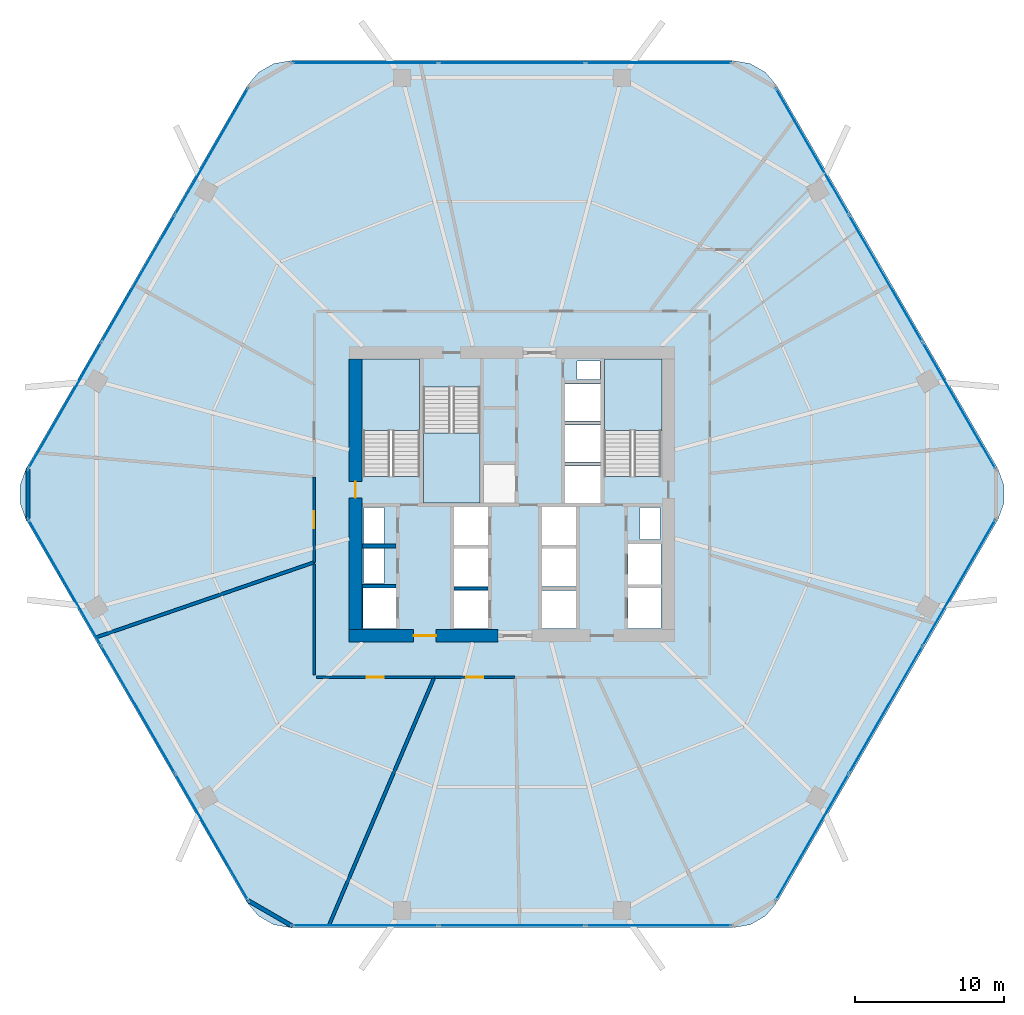
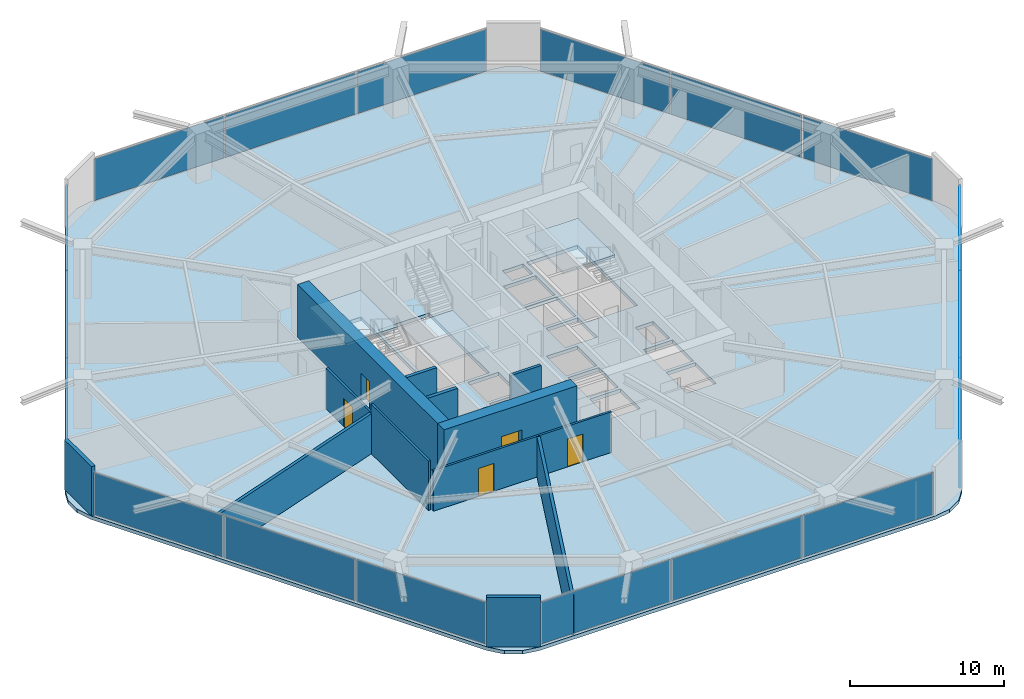
# One storey, part 21 of 25: 18 plates, 13 walls, 5 doors, 4 slabs, 5 openings, 9 elements without a shape of their own.
"""IFC4 building model written with IfcOpenShell, lengths in metres."""

from ifc_helpers import new_model, si_unit, direction, frame, frame_2d, origin, origin_2d, place, context, subcontext, project, spatial, polyline, rectangle, outline, extrude, material, layer, layer_set, type_object, element, fill, aggregate, save


model = new_model("IFC4")

# Units and contexts
model_context = context("Model", 3, precision=1e-05, world=origin(), true_north=direction((0.0, 1.0)))
body_context = subcontext(model_context, "Body", "Model", "MODEL_VIEW")
ifc_project = project(units=[si_unit("LENGTHUNIT", "METRE"), si_unit("AREAUNIT", "SQUARE_METRE"), si_unit("VOLUMEUNIT", "CUBIC_METRE"), si_unit("PLANEANGLEUNIT", "RADIAN"), si_unit("MASSUNIT", "GRAM", prefix="KILO")], contexts=[model_context])

# Site, building, storey
site_placement = place(None, origin())
site = spatial("IfcSite", under=ifc_project, at=site_placement, CompositionType="ELEMENT")
building_placement = place(site_placement, origin())
building = spatial("IfcBuilding", under=site, at=building_placement, Name="Zuhravey Tower", CompositionType="ELEMENT")
storey_placement = place(building_placement, frame((0.0, 0.0, 54.0)))
storey = spatial("IfcBuildingStorey", under=building, at=storey_placement, Name="L13", CompositionType="ELEMENT", Elevation=54.0)

# Curtain wall, plates
ifc_material_1 = material(Name="Thermally broken anodised aluminium", Category="aluminium")
curtain_wall_type = type_object("IfcCurtainWallType", Name="School Low-E Unitised Curtain Wall CW1", PredefinedType="NOTDEFINED", material=ifc_material_1)
curtain_wall_1_placement = place(storey_placement, origin())
curtain_wall_1 = element("IfcCurtainWall", 1, at=curtain_wall_1_placement, inside=storey, type_object=curtain_wall_type, Name="L13 CW1 CW-L13-F6-1", PredefinedType="NOTDEFINED")
ifc_material_2 = material(Name="Laminated acoustic low-E vision glass", Category="glass")
ifc_layer_1 = layer(ifc_material_2, 0.048095703125)
ifc_layer_set_1 = layer_set([ifc_layer_1], Name="Laminated acoustic low-E vision glass")
plate_type = type_object("IfcPlateType", Name="Acoustic School Vision Panel", PredefinedType="CURTAIN_PANEL", material=ifc_layer_set_1)
plate_1_placement = place(storey_placement, frame((66.000732421875, 26.045654296875, 0.090087890625), z_axis=(0.0, 0.0, 1.0), x_axis=(-0.499999794119, -0.86602552265, 0.0)))
plate_1 = element("IfcPlate", 2, at=plate_1_placement, type_object=plate_type, Name="CW1 panel 1.1", PredefinedType="CURTAIN_PANEL", context=body_context, shape_type="SweptSolid", body=[
    extrude(rectangle(XDim=9.7314453125, YDim=0.048095703125, at=origin_2d()), origin(), (0.0, 0.0, 1.0), 3.31201171875),
])
plate_2_placement = place(storey_placement, frame((61.078857421875, 17.520751953125, 0.090087890625), z_axis=(0.0, 0.0, 1.0), x_axis=(-0.499999794119, -0.86602552265, 0.0)))
plate_2 = element("IfcPlate", 3, at=plate_2_placement, type_object=plate_type, Name="CW1 panel 2.1", PredefinedType="CURTAIN_PANEL", context=body_context, shape_type="SweptSolid", body=[
    extrude(rectangle(XDim=9.7763671875, YDim=0.048095703125, at=origin_2d()), origin(), (0.0, 0.0, 1.0), 3.31201171875),
])
plate_3_placement = place(storey_placement, frame((56.15673828125, 8.995849609375, 0.090087890625), z_axis=(0.0, 0.0, 1.0), x_axis=(-0.499999794119, -0.86602552265, 0.0)))
plate_3 = element("IfcPlate", 4, at=plate_3_placement, type_object=plate_type, Name="CW1 panel 3.1", PredefinedType="CURTAIN_PANEL", context=body_context, shape_type="SweptSolid", body=[
    extrude(rectangle(XDim=9.7314453125, YDim=0.048095703125, at=origin_2d()), origin(), (0.0, 0.0, 1.0), 3.31201171875),
])
aggregate(curtain_wall_1, [plate_1, plate_2, plate_3])

curtain_wall_2_placement = place(storey_placement, origin())
curtain_wall_2 = element("IfcCurtainWall", 5, at=curtain_wall_2_placement, inside=storey, type_object=curtain_wall_type, Name="L13 CW1 CW-L13-F5-1", PredefinedType="NOTDEFINED")
plate_4_placement = place(storey_placement, frame((45.84375, 3.04150390625, 0.090087890625), z_axis=(0.0, 0.0, 1.0), x_axis=(-1.0, 0.0, 0.0)))
plate_4 = element("IfcPlate", 6, at=plate_4_placement, type_object=plate_type, Name="CW1 panel 1.1", PredefinedType="CURTAIN_PANEL", context=body_context, shape_type="SweptSolid", body=[
    extrude(rectangle(XDim=9.7314453125, YDim=0.048095703125, at=origin_2d()), origin(), (0.0, 0.0, 1.0), 3.31201171875),
])
plate_5_placement = place(storey_placement, frame((36.0, 3.04150390625, 0.090087890625), z_axis=(0.0, 0.0, 1.0), x_axis=(-1.0, 0.0, 0.0)))
plate_5 = element("IfcPlate", 7, at=plate_5_placement, type_object=plate_type, Name="CW1 panel 2.1", PredefinedType="CURTAIN_PANEL", context=body_context, shape_type="SweptSolid", body=[
    extrude(rectangle(XDim=9.7763671875, YDim=0.048095703125, at=origin_2d()), origin(), (0.0, 0.0, 1.0), 3.31201171875),
])
plate_6_placement = place(storey_placement, frame((26.15625, 3.04150390625, 0.090087890625), z_axis=(0.0, 0.0, 1.0), x_axis=(-1.0, 0.0, 0.0)))
plate_6 = element("IfcPlate", 8, at=plate_6_placement, type_object=plate_type, Name="CW1 panel 3.1", PredefinedType="CURTAIN_PANEL", context=body_context, shape_type="SweptSolid", body=[
    extrude(rectangle(XDim=9.7314453125, YDim=0.048095703125, at=origin_2d()), origin(), (0.0, 0.0, 1.0), 3.31201171875),
])
aggregate(curtain_wall_2, [plate_4, plate_5, plate_6])

curtain_wall_3_placement = place(storey_placement, origin())
curtain_wall_3 = element("IfcCurtainWall", 9, at=curtain_wall_3_placement, inside=storey, type_object=curtain_wall_type, Name="L13 CW1 CW-L13-F4-1", PredefinedType="NOTDEFINED")
plate_7_placement = place(storey_placement, frame((15.84326171875, 8.995849609375, 0.090087890625), z_axis=(0.0, 0.0, 1.0), x_axis=(-0.499999794119, 0.86602552265, 0.0)))
plate_7 = element("IfcPlate", 10, at=plate_7_placement, type_object=plate_type, Name="CW1 panel 1.1", PredefinedType="CURTAIN_PANEL", context=body_context, shape_type="SweptSolid", body=[
    extrude(rectangle(XDim=9.7314453125, YDim=0.048095703125, at=origin_2d()), origin(), (0.0, 0.0, 1.0), 3.31201171875),
])
plate_8_placement = place(storey_placement, frame((10.921142578125, 17.520751953125, 0.090087890625), z_axis=(0.0, 0.0, 1.0), x_axis=(-0.499999794119, 0.86602552265, 0.0)))
plate_8 = element("IfcPlate", 11, at=plate_8_placement, type_object=plate_type, Name="CW1 panel 2.1", PredefinedType="CURTAIN_PANEL", context=body_context, shape_type="SweptSolid", body=[
    extrude(rectangle(XDim=9.7763671875, YDim=0.048095703125, at=origin_2d()), origin(), (0.0, 0.0, 1.0), 3.31201171875),
])
plate_9_placement = place(storey_placement, frame((5.999267578125, 26.045654296875, 0.090087890625), z_axis=(0.0, 0.0, 1.0), x_axis=(-0.499999794119, 0.86602552265, 0.0)))
plate_9 = element("IfcPlate", 12, at=plate_9_placement, type_object=plate_type, Name="CW1 panel 3.1", PredefinedType="CURTAIN_PANEL", context=body_context, shape_type="SweptSolid", body=[
    extrude(rectangle(XDim=9.7314453125, YDim=0.048095703125, at=origin_2d()), origin(), (0.0, 0.0, 1.0), 3.31201171875),
])
aggregate(curtain_wall_3, [plate_7, plate_8, plate_9])

curtain_wall_4_placement = place(storey_placement, origin())
curtain_wall_4 = element("IfcCurtainWall", 13, at=curtain_wall_4_placement, inside=storey, type_object=curtain_wall_type, Name="L13 CW1 CW-L13-F3-1", PredefinedType="NOTDEFINED")
plate_10_placement = place(storey_placement, frame((5.999267578125, 37.954345703125, 0.090087890625), z_axis=(0.0, 0.0, 1.0), x_axis=(0.499999794119, 0.86602552265, 0.0)))
plate_10 = element("IfcPlate", 14, at=plate_10_placement, type_object=plate_type, Name="CW1 panel 1.1", PredefinedType="CURTAIN_PANEL", context=body_context, shape_type="SweptSolid", body=[
    extrude(rectangle(XDim=9.7314453125, YDim=0.048095703125, at=origin_2d()), origin(), (0.0, 0.0, 1.0), 3.31201171875),
])
plate_11_placement = place(storey_placement, frame((10.921142578125, 46.479248046875, 0.090087890625), z_axis=(0.0, 0.0, 1.0), x_axis=(0.499999794119, 0.86602552265, 0.0)))
plate_11 = element("IfcPlate", 15, at=plate_11_placement, type_object=plate_type, Name="CW1 panel 2.1", PredefinedType="CURTAIN_PANEL", context=body_context, shape_type="SweptSolid", body=[
    extrude(rectangle(XDim=9.7763671875, YDim=0.048095703125, at=origin_2d()), origin(), (0.0, 0.0, 1.0), 3.31201171875),
])
plate_12_placement = place(storey_placement, frame((15.84326171875, 55.004150390625, 0.090087890625), z_axis=(0.0, 0.0, 1.0), x_axis=(0.499999794119, 0.86602552265, 0.0)))
plate_12 = element("IfcPlate", 16, at=plate_12_placement, type_object=plate_type, Name="CW1 panel 3.1", PredefinedType="CURTAIN_PANEL", context=body_context, shape_type="SweptSolid", body=[
    extrude(rectangle(XDim=9.7314453125, YDim=0.048095703125, at=origin_2d()), origin(), (0.0, 0.0, 1.0), 3.31201171875),
])
aggregate(curtain_wall_4, [plate_10, plate_11, plate_12])

curtain_wall_5_placement = place(storey_placement, origin())
curtain_wall_5 = element("IfcCurtainWall", 17, at=curtain_wall_5_placement, inside=storey, type_object=curtain_wall_type, Name="L13 CW1 CW-L13-F2-1", PredefinedType="NOTDEFINED")
plate_13_placement = place(storey_placement, frame((26.15625, 60.95849609375, 0.090087890625), z_axis=(0.0, 0.0, 1.0), x_axis=(1.0, 0.0, 0.0)))
plate_13 = element("IfcPlate", 18, at=plate_13_placement, type_object=plate_type, Name="CW1 panel 1.1", PredefinedType="CURTAIN_PANEL", context=body_context, shape_type="SweptSolid", body=[
    extrude(rectangle(XDim=9.7314453125, YDim=0.048095703125, at=origin_2d()), origin(), (0.0, 0.0, 1.0), 3.31201171875),
])
plate_14_placement = place(storey_placement, frame((36.0, 60.95849609375, 0.090087890625), z_axis=(0.0, 0.0, 1.0), x_axis=(1.0, 0.0, 0.0)))
plate_14 = element("IfcPlate", 19, at=plate_14_placement, type_object=plate_type, Name="CW1 panel 2.1", PredefinedType="CURTAIN_PANEL", context=body_context, shape_type="SweptSolid", body=[
    extrude(rectangle(XDim=9.7763671875, YDim=0.048095703125, at=origin_2d()), origin(), (0.0, 0.0, 1.0), 3.31201171875),
])
plate_15_placement = place(storey_placement, frame((45.84375, 60.95849609375, 0.090087890625), z_axis=(0.0, 0.0, 1.0), x_axis=(1.0, 0.0, 0.0)))
plate_15 = element("IfcPlate", 20, at=plate_15_placement, type_object=plate_type, Name="CW1 panel 3.1", PredefinedType="CURTAIN_PANEL", context=body_context, shape_type="SweptSolid", body=[
    extrude(rectangle(XDim=9.7314453125, YDim=0.048095703125, at=origin_2d()), origin(), (0.0, 0.0, 1.0), 3.31201171875),
])
aggregate(curtain_wall_5, [plate_13, plate_14, plate_15])

curtain_wall_6_placement = place(storey_placement, origin())
curtain_wall_6 = element("IfcCurtainWall", 21, at=curtain_wall_6_placement, inside=storey, type_object=curtain_wall_type, Name="L13 CW1 CW-L13-F1-1", PredefinedType="NOTDEFINED")
plate_16_placement = place(storey_placement, frame((56.15673828125, 55.004150390625, 0.090087890625), z_axis=(0.0, 0.0, 1.0), x_axis=(0.499999794119, -0.86602552265, 0.0)))
plate_16 = element("IfcPlate", 22, at=plate_16_placement, type_object=plate_type, Name="CW1 panel 1.1", PredefinedType="CURTAIN_PANEL", context=body_context, shape_type="SweptSolid", body=[
    extrude(rectangle(XDim=9.7314453125, YDim=0.048095703125, at=origin_2d()), origin(), (0.0, 0.0, 1.0), 3.31201171875),
])
plate_17_placement = place(storey_placement, frame((61.078857421875, 46.479248046875, 0.090087890625), z_axis=(0.0, 0.0, 1.0), x_axis=(0.499999794119, -0.86602552265, 0.0)))
plate_17 = element("IfcPlate", 23, at=plate_17_placement, type_object=plate_type, Name="CW1 panel 2.1", PredefinedType="CURTAIN_PANEL", context=body_context, shape_type="SweptSolid", body=[
    extrude(rectangle(XDim=9.7763671875, YDim=0.048095703125, at=origin_2d()), origin(), (0.0, 0.0, 1.0), 3.31201171875),
])
plate_18_placement = place(storey_placement, frame((66.000732421875, 37.954345703125, 0.090087890625), z_axis=(0.0, 0.0, 1.0), x_axis=(0.499999794119, -0.86602552265, 0.0)))
plate_18 = element("IfcPlate", 24, at=plate_18_placement, type_object=plate_type, Name="CW1 panel 3.1", PredefinedType="CURTAIN_PANEL", context=body_context, shape_type="SweptSolid", body=[
    extrude(rectangle(XDim=9.7314453125, YDim=0.048095703125, at=origin_2d()), origin(), (0.0, 0.0, 1.0), 3.31201171875),
])
aggregate(curtain_wall_6, [plate_16, plate_17, plate_18])

# Slab
ifc_material_3 = material(Name="Concrete C50/60", Category="concrete")
ifc_layer_2 = layer(ifc_material_3, 0.280029296875)
ifc_layer_set_2 = layer_set([ifc_layer_2], Name="Concrete C50/60")
slab_type_1 = type_object("IfcSlabType", Name="School Composite Floor Slab 280", PredefinedType="FLOOR", material=ifc_layer_set_2)
slab_1_placement = place(storey_placement, frame((0.0, 0.0, -0.280029296875)))
element("IfcSlab", 25, at=slab_1_placement, inside=storey, type_object=slab_type_1, Name="L13 Floor Slab FS28", PredefinedType="FLOOR", context=body_context, shape_type="SweptSolid", body=[
    extrude(outline(polyline([(68.618408203125, 30.300048828125), (69.0224609375, 31.40966796875), (69.0224609375, 32.59033203125), (68.618408203125, 33.699951171875), (53.781494140625, 59.3984375), (53.0224609375, 60.302978515625), (52.0, 60.893310546875), (50.8369140625, 61.098388671875), (21.1630859375, 61.098388671875), (20.0, 60.893310546875), (18.9775390625, 60.302978515625), (18.218505859375, 59.3984375), (3.381591796875, 33.699951171875), (2.9775390625, 32.59033203125), (2.9775390625, 31.40966796875), (3.381591796875, 30.300048828125), (18.218505859375, 4.6015625), (18.9775390625, 3.697021484375), (20.0, 3.106689453125), (21.1630859375, 2.901611328125), (50.8369140625, 2.901611328125), (52.0, 3.106689453125), (53.0224609375, 3.697021484375), (53.781494140625, 4.6015625), (68.618408203125, 30.300048828125)]), holes=[polyline([(29.800048828125, 33.20068359375), (29.800048828125, 41.0), (26.0, 41.0), (26.0, 33.20068359375), (29.800048828125, 33.20068359375)]), polyline([(46.0, 33.20068359375), (46.0, 41.0), (42.199951171875, 41.0), (42.199951171875, 33.20068359375), (46.0, 33.20068359375)]), polyline([(30.050048828125, 39.199462890625), (30.050048828125, 31.39990234375), (33.85009765625, 31.39990234375), (33.85009765625, 39.199462890625), (30.050048828125, 39.199462890625)]), polyline([(32.10009765625, 23.0), (34.39990234375, 23.0), (34.39990234375, 25.550048828125), (32.10009765625, 25.550048828125), (32.10009765625, 23.0)]), polyline([(32.10009765625, 25.800048828125), (34.39990234375, 25.800048828125), (34.39990234375, 28.35009765625), (32.10009765625, 28.35009765625), (32.10009765625, 25.800048828125)]), polyline([(32.10009765625, 28.60009765625), (34.39990234375, 28.60009765625), (34.39990234375, 31.14990234375), (32.10009765625, 31.14990234375), (32.10009765625, 28.60009765625)]), polyline([(38.0, 23.0), (40.300048828125, 23.0), (40.300048828125, 25.550048828125), (38.0, 25.550048828125), (38.0, 23.0)]), polyline([(38.0, 25.800048828125), (40.300048828125, 25.800048828125), (40.300048828125, 28.35009765625), (38.0, 28.35009765625), (38.0, 25.800048828125)]), polyline([(38.0, 28.60009765625), (40.300048828125, 28.60009765625), (40.300048828125, 31.14990234375), (38.0, 31.14990234375), (38.0, 28.60009765625)]), polyline([(39.550048828125, 31.39990234375), (41.949951171875, 31.39990234375), (41.949951171875, 33.89990234375), (39.550048828125, 33.89990234375), (39.550048828125, 31.39990234375)]), polyline([(39.550048828125, 34.14990234375), (41.949951171875, 34.14990234375), (41.949951171875, 36.64990234375), (39.550048828125, 36.64990234375), (39.550048828125, 34.14990234375)]), polyline([(39.550048828125, 36.89990234375), (41.949951171875, 36.89990234375), (41.949951171875, 39.39990234375), (39.550048828125, 39.39990234375), (39.550048828125, 36.89990234375)]), polyline([(26.0, 23.0), (28.199951171875, 23.0), (28.199951171875, 25.699951171875), (26.0, 25.699951171875), (26.0, 23.0)]), polyline([(43.800048828125, 23.0), (46.0, 23.0), (46.0, 25.699951171875), (43.800048828125, 25.699951171875), (43.800048828125, 23.0)]), polyline([(43.800048828125, 25.949951171875), (46.0, 25.949951171875), (46.0, 28.64990234375), (43.800048828125, 28.64990234375), (43.800048828125, 25.949951171875)]), polyline([(26.050048828125, 26.0), (27.39990234375, 26.0), (27.39990234375, 28.35009765625), (26.050048828125, 28.35009765625), (26.050048828125, 26.0)]), polyline([(26.050048828125, 28.699951171875), (27.39990234375, 28.699951171875), (27.39990234375, 31.10009765625), (26.050048828125, 31.10009765625), (26.050048828125, 28.699951171875)]), polyline([(44.60009765625, 28.949951171875), (45.949951171875, 28.949951171875), (45.949951171875, 31.10009765625), (44.60009765625, 31.10009765625), (44.60009765625, 28.949951171875)]), polyline([(40.35009765625, 39.699951171875), (41.89990234375, 39.699951171875), (41.89990234375, 40.949951171875), (40.35009765625, 40.949951171875), (40.35009765625, 39.699951171875)])]), origin(), (0.0, 0.0, 1.0), 0.280029296875),
])

# Stair, slab
ifc_material_4 = material(Name="Concrete C40/50", Category="concrete")
stair_type = type_object("IfcStairType", Name="School Storey Stair Assembly 4200", PredefinedType="HALF_TURN_STAIR", material=ifc_material_4)
stair_1_placement = place(storey_placement, origin())
stair_1 = element("IfcStair", 26, at=stair_1_placement, inside=storey, type_object=stair_type, Name="L13 Core Exit Stair ST1", PredefinedType="HALF_TURN_STAIR")
ifc_layer_3 = layer(ifc_material_4, 0.199951171875)
ifc_layer_set_3 = layer_set([ifc_layer_3], Name="Concrete C40/50")
slab_type_2 = type_object("IfcSlabType", Name="Stair Landing Slab 200", PredefinedType="LANDING", material=ifc_layer_set_3)
slab_2_placement = place(storey_placement, frame((0.0, 0.0, 1.89990234375)))
slab_2 = element("IfcSlab", 27, at=slab_2_placement, type_object=slab_type_2, Name="ST1 landing 1", PredefinedType="LANDING", context=body_context, shape_type="SweptSolid", body=[
    extrude(outline(polyline([(29.800048828125, 36.280029296875), (29.800048828125, 41.072998046875), (25.927001953125, 41.072998046875), (25.927001953125, 36.280029296875), (29.800048828125, 36.280029296875)])), origin(), (0.0, 0.0, 1.0), 0.2001953125),
])
aggregate(stair_1, [slab_2])

stair_2_placement = place(storey_placement, origin())
stair_2 = element("IfcStair", 28, at=stair_2_placement, inside=storey, type_object=stair_type, Name="L13 Core Exit Stair ST2", PredefinedType="HALF_TURN_STAIR")
slab_3_placement = place(storey_placement, frame((0.0, 0.0, 1.89990234375)))
slab_3 = element("IfcSlab", 29, at=slab_3_placement, type_object=slab_type_2, Name="ST2 landing 1", PredefinedType="LANDING", context=body_context, shape_type="SweptSolid", body=[
    extrude(outline(polyline([(46.072998046875, 36.280029296875), (46.072998046875, 41.072998046875), (42.199951171875, 41.072998046875), (42.199951171875, 36.280029296875), (46.072998046875, 36.280029296875)])), origin(), (0.0, 0.0, 1.0), 0.2001953125),
])
aggregate(stair_2, [slab_3])

stair_3_placement = place(storey_placement, origin())
stair_3 = element("IfcStair", 30, at=stair_3_placement, inside=storey, type_object=stair_type, Name="L13 Core Exit Stair ST3", PredefinedType="HALF_TURN_STAIR")
slab_4_placement = place(storey_placement, frame((0.0, 0.0, 1.89990234375)))
slab_4 = element("IfcSlab", 31, at=slab_4_placement, type_object=slab_type_2, Name="ST3 landing 1", PredefinedType="LANDING", context=body_context, shape_type="SweptSolid", body=[
    extrude(outline(polyline([(30.050048828125, 36.1201171875), (30.050048828125, 31.39990234375), (33.85009765625, 31.39990234375), (33.85009765625, 36.1201171875), (30.050048828125, 36.1201171875)])), origin(), (0.0, 0.0, 1.0), 0.2001953125),
])
aggregate(stair_3, [slab_4])

# Wall, opening, door
ifc_material_5 = material(Name="Concrete C60/75", Category="concrete")
ifc_layer_4 = layer(ifc_material_5, 0.85009765625)
ifc_layer_set_4 = layer_set([ifc_layer_4], Name="Concrete C60/75")
wall_type_1 = type_object("IfcWallType", Name="Core Shear Wall 850", PredefinedType="SHEAR", material=ifc_layer_set_4)
wall_1_placement = place(storey_placement, frame((25.074951171875, 22.5, 0.0), z_axis=(0.0, 0.0, 1.0), x_axis=(1.0, 0.0, 0.0)))
wall_1 = element("IfcWall", 32, at=wall_1_placement, inside=storey, type_object=wall_type_1, Name="L13 South-West Core Shear Wall CW85", PredefinedType="SHEAR", context=body_context, shape_type="SweptSolid", body=[
    extrude(rectangle(XDim=9.97509765625, YDim=0.85009765625, at=frame_2d((4.987548828125, 0.0))), origin(), (0.0, 0.0, 1.0), 4.199951171875),
])
opening_1_placement = place(wall_1_placement, frame((4.324951171875, 0.0, 0.0)))
opening_1 = element("IfcOpeningElement", 33, at=opening_1_placement, cuts=wall_1, Name="Opening FFD1", PredefinedType="OPENING", context=body_context, shape_type="SweptSolid", body=[
    extrude(rectangle(XDim=1.5, YDim=2.14990234375, at=frame_2d((0.75, 1.074951171875))), frame((0.0, 0.43701171875, 0.0), z_axis=(0.0, -1.0, 0.0), x_axis=(1.0, 0.0, 0.0)), (0.0, 0.0, 1.0), 0.8740234375),
])
ifc_material_6 = material(Name="Galvanised fire-rated steel leaf", Category="steel")
door_type_1 = type_object("IfcDoorType", Name="Firefighting Lobby Double Door 1500x2150", OperationType="DOUBLE_DOOR_SINGLE_SWING", PredefinedType="DOOR", material=ifc_material_6)
door_1_placement = place(opening_1_placement, origin())
door_1 = element("IfcDoor", 34, at=door_1_placement, inside=storey, type_object=door_type_1, Name="L13 Firefighting Lobby West Door", OperationType="DOUBLE_DOOR_SINGLE_SWING", OverallHeight=2.14990234375, OverallWidth=1.5, PredefinedType="DOOR", context=body_context, shape_type="SweptSolid", body=[
    extrude(rectangle(XDim=1.5, YDim=2.14990234375, at=frame_2d((0.75, 1.074951171875))), frame((0.0, 0.02490234375, 0.0), z_axis=(0.0, -1.0, 0.0), x_axis=(1.0, 0.0, 0.0)), (0.0, 0.0, 1.0), 0.050048828125),
])
fill(opening_1, door_1)

wall_2_placement = place(storey_placement, frame((25.5, 22.925048828125, 0.0), z_axis=(0.0, 0.0, 1.0), x_axis=(0.0, 1.0, 0.0)))
wall_2 = element("IfcWall", 35, at=wall_2_placement, inside=storey, type_object=wall_type_1, Name="L13 West Core Shear Wall CW85", PredefinedType="SHEAR", context=body_context, shape_type="SweptSolid", body=[
    extrude(rectangle(XDim=18.14990234375, YDim=0.85009765625, at=frame_2d((9.074951171875, 0.0))), origin(), (0.0, 0.0, 1.0), 4.199951171875),
])
opening_2_placement = place(wall_2_placement, frame((8.824951171875, 0.0, 0.0)))
opening_2 = element("IfcOpeningElement", 36, at=opening_2_placement, cuts=wall_2, Name="Opening STD1", PredefinedType="OPENING", context=body_context, shape_type="SweptSolid", body=[
    extrude(rectangle(XDim=1.10009765625, YDim=2.14990234375, at=frame_2d((0.550048828125, 1.074951171875))), frame((0.0, 0.43701171875, 0.0), z_axis=(0.0, -1.0, 0.0), x_axis=(1.0, 0.0, 0.0)), (0.0, 0.0, 1.0), 0.8740234375),
])
door_type_2 = type_object("IfcDoorType", Name="Protected Stair Fire Door 1100x2150", OperationType="NOTDEFINED", PredefinedType="USERDEFINED", material=ifc_material_6)
door_2_placement = place(opening_2_placement, frame((1.10009765625, 0.0, 0.0), z_axis=(0.0, 0.0, 1.0), x_axis=(-1.0, 0.0, 0.0)))
door_2 = element("IfcDoor", 37, at=door_2_placement, inside=storey, type_object=door_type_2, Name="L13 Stair ST1 Door", ObjectType="EXITDOOR", OperationType="SINGLE_SWING_LEFT", OverallHeight=2.14990234375, OverallWidth=1.10009765625, PredefinedType="USERDEFINED", context=body_context, shape_type="SweptSolid", body=[
    extrude(rectangle(XDim=1.10009765625, YDim=2.14990234375, at=frame_2d((0.550048828125, 1.074951171875))), frame((0.0, 0.02490234375, 0.0), z_axis=(0.0, -1.0, 0.0), x_axis=(1.0, 0.0, 0.0)), (0.0, 0.0, 1.0), 0.050048828125),
])
fill(opening_2, door_2)

ifc_material_7 = material(Name="Gypsum fire-rated stud partition")
ifc_layer_5 = layer(ifc_material_7, 0.159912109375)
ifc_layer_set_5 = layer_set([ifc_layer_5], Name="Gypsum fire-rated stud partition")
wall_type_2 = type_object("IfcWallType", Name="Corridor Fire Partition 160", PredefinedType="PARTITIONING", material=ifc_layer_set_5)
wall_3_placement = place(storey_placement, frame((22.715087890625, 33.162353515625, 0.0), z_axis=(0.0, 0.0, 1.0), x_axis=(0.0, -1.0, 0.0)))
wall_3 = element("IfcWall", 38, at=wall_3_placement, inside=storey, type_object=wall_type_2, Name="L13 IW16 Partition 026", PredefinedType="PARTITIONING", context=body_context, shape_type="SweptSolid", body=[
    extrude(rectangle(XDim=5.73681640625, YDim=0.159912109375, at=frame_2d((2.868408203125, 0.0))), origin(), (0.0, 0.0, 1.0), 3.219970703125),
])
opening_3_placement = place(wall_3_placement, frame((2.29345703125, 0.0, 0.0)))
opening_3 = element("IfcOpeningElement", 39, at=opening_3_placement, cuts=wall_3, Name="Opening CLD1", PredefinedType="OPENING", context=body_context, shape_type="SweptSolid", body=[
    extrude(rectangle(XDim=1.14990234375, YDim=2.199951171875, at=frame_2d((0.574951171875, 1.10009765625))), frame((0.0, 0.092041015625, 0.0), z_axis=(0.0, -1.0, 0.0), x_axis=(1.0, 0.0, 0.0)), (0.0, 0.0, 1.0), 0.183837890625),
])
ifc_material_8 = material(Name="Acoustic timber leaf with vision lite", Category="wood")
door_type_3 = type_object("IfcDoorType", Name="Classroom Acoustic Door 1150x2200", OperationType="NOTDEFINED", PredefinedType="DOOR", material=ifc_material_8)
door_3_placement = place(opening_3_placement, frame((1.14990234375, 0.0, 0.0), z_axis=(0.0, 0.0, 1.0), x_axis=(-1.0, 0.0, 0.0)))
door_3 = element("IfcDoor", 40, at=door_3_placement, inside=storey, type_object=door_type_3, Name="L13 Door 026.1", OperationType="SINGLE_SWING_LEFT", OverallHeight=2.199951171875, OverallWidth=1.14990234375, PredefinedType="DOOR", context=body_context, shape_type="SweptSolid", body=[
    extrude(rectangle(XDim=1.14990234375, YDim=2.199951171875, at=frame_2d((0.574951171875, 1.10009765625))), frame((0.0, 0.02490234375, 0.0), z_axis=(0.0, -1.0, 0.0), x_axis=(1.0, 0.0, 0.0)), (0.0, 0.0, 1.0), 0.050048828125),
])
fill(opening_3, door_3)

wall_4_placement = place(storey_placement, frame((22.875, 19.715087890625, 0.0), z_axis=(0.0, 0.0, 1.0), x_axis=(1.0, 0.0, 0.0)))
wall_4 = element("IfcWall", 41, at=wall_4_placement, inside=storey, type_object=wall_type_2, Name="L13 IW16 Partition 027", PredefinedType="PARTITIONING", context=body_context, shape_type="SweptSolid", body=[
    extrude(rectangle(XDim=7.910400390625, YDim=0.159912109375, at=frame_2d((3.955078125, 0.0))), origin(), (0.0, 0.0, 1.0), 3.219970703125),
])
opening_4_placement = place(wall_4_placement, frame((3.380126953125, 0.0, 0.0)))
opening_4 = element("IfcOpeningElement", 42, at=opening_4_placement, cuts=wall_4, Name="Opening CLD1", PredefinedType="OPENING", context=body_context, shape_type="SweptSolid", body=[
    extrude(rectangle(XDim=1.14990234375, YDim=2.199951171875, at=frame_2d((0.574951171875, 1.10009765625))), frame((0.0, 0.092041015625, 0.0), z_axis=(0.0, -1.0, 0.0), x_axis=(1.0, 0.0, 0.0)), (0.0, 0.0, 1.0), 0.183837890625),
])
door_4_placement = place(opening_4_placement, frame((1.14990234375, 0.0, 0.0), z_axis=(0.0, 0.0, 1.0), x_axis=(-1.0, 0.0, 0.0)))
door_4 = element("IfcDoor", 43, at=door_4_placement, inside=storey, type_object=door_type_3, Name="L13 Door 027.1", OperationType="SINGLE_SWING_RIGHT", OverallHeight=2.199951171875, OverallWidth=1.14990234375, PredefinedType="DOOR", context=body_context, shape_type="SweptSolid", body=[
    extrude(rectangle(XDim=1.14990234375, YDim=2.199951171875, at=frame_2d((0.574951171875, 1.10009765625))), frame((0.0, 0.02490234375, 0.0), z_axis=(0.0, -1.0, 0.0), x_axis=(1.0, 0.0, 0.0)), (0.0, 0.0, 1.0), 0.050048828125),
])
fill(opening_4, door_4)

wall_5_placement = place(storey_placement, frame((30.785400390625, 19.715087890625, 0.0), z_axis=(0.0, 0.0, 1.0), x_axis=(1.0, 0.0, 0.0)))
wall_5 = element("IfcWall", 44, at=wall_5_placement, inside=storey, type_object=wall_type_2, Name="L13 IW16 Partition 028", PredefinedType="PARTITIONING", context=body_context, shape_type="SweptSolid", body=[
    extrude(rectangle(XDim=5.428955078125, YDim=0.159912109375, at=frame_2d((2.71435546875, 0.0))), origin(), (0.0, 0.0, 1.0), 3.219970703125),
])
opening_5_placement = place(wall_5_placement, frame((2.139404296875, 0.0, 0.0)))
opening_5 = element("IfcOpeningElement", 45, at=opening_5_placement, cuts=wall_5, Name="Opening CLD1", PredefinedType="OPENING", context=body_context, shape_type="SweptSolid", body=[
    extrude(rectangle(XDim=1.14990234375, YDim=2.199951171875, at=frame_2d((0.574951171875, 1.10009765625))), frame((0.0, 0.092041015625, 0.0), z_axis=(0.0, -1.0, 0.0), x_axis=(1.0, 0.0, 0.0)), (0.0, 0.0, 1.0), 0.183837890625),
])
door_5_placement = place(opening_5_placement, frame((1.14990234375, 0.0, 0.0), z_axis=(0.0, 0.0, 1.0), x_axis=(-1.0, 0.0, 0.0)))
door_5 = element("IfcDoor", 46, at=door_5_placement, inside=storey, type_object=door_type_3, Name="L13 Door 028.1", OperationType="SINGLE_SWING_LEFT", OverallHeight=2.199951171875, OverallWidth=1.14990234375, PredefinedType="DOOR", context=body_context, shape_type="SweptSolid", body=[
    extrude(rectangle(XDim=1.14990234375, YDim=2.199951171875, at=frame_2d((0.574951171875, 1.10009765625))), frame((0.0, 0.02490234375, 0.0), z_axis=(0.0, -1.0, 0.0), x_axis=(1.0, 0.0, 0.0)), (0.0, 0.0, 1.0), 0.050048828125),
])
fill(opening_5, door_5)

# Walls
wall_6_placement = place(storey_placement, frame((22.715087890625, 27.30078125, 0.0), z_axis=(0.0, 0.0, 1.0), x_axis=(0.0, -1.0, 0.0)))
element("IfcWall", 47, at=wall_6_placement, inside=storey, type_object=wall_type_2, Name="L13 IW16 Partition 055", PredefinedType="PARTITIONING", context=body_context, shape_type="SweptSolid", body=[
    extrude(rectangle(XDim=7.42578125, YDim=0.159912109375, at=frame_2d((3.712890625, 0.0))), origin(), (0.0, 0.0, 1.0), 3.919921875),
])
ifc_material_9 = material(Name="Precast concrete C40/50", Category="concrete")
ifc_layer_6 = layer(ifc_material_9, 0.280029296875)
ifc_layer_set_6 = layer_set([ifc_layer_6], Name="Precast concrete C40/50")
wall_type_3 = type_object("IfcWallType", Name="Crown Architectural Wall 280", PredefinedType="SOLIDWALL", material=ifc_layer_set_6)
wall_7_placement = place(storey_placement, frame((21.28271484375, 2.993896484375, 0.0), z_axis=(0.0, 0.0, 1.0), x_axis=(-0.866007452331, 0.500031091541, 0.0)))
element("IfcWall", 48, at=wall_7_placement, inside=storey, type_object=wall_type_3, Name="L13 Rounded Corner Closure Wall EW28-04", PredefinedType="SOLIDWALL", context=body_context, shape_type="SweptSolid", body=[
    extrude(rectangle(XDim=3.514892578125, YDim=0.280029296875, at=frame_2d((1.75732421875, 0.0))), origin(), (0.0, 0.0, 1.0), 3.919921875),
])
wall_8_placement = place(storey_placement, frame((3.521484375, 30.242431640625, 0.0), z_axis=(0.0, 0.0, 1.0), x_axis=(0.0, 1.0, 0.0)))
element("IfcWall", 49, at=wall_8_placement, inside=storey, type_object=wall_type_3, Name="L13 Rounded Corner Closure Wall EW28-06", PredefinedType="SOLIDWALL", context=body_context, shape_type="SweptSolid", body=[
    extrude(rectangle(XDim=3.51513671875, YDim=0.280029296875, at=frame_2d((1.757568359375, 0.0))), origin(), (0.0, 0.0, 1.0), 3.919921875),
])
ifc_layer_7 = layer(ifc_material_3, 0.25)
ifc_layer_set_7 = layer_set([ifc_layer_7], Name="Concrete C50/60")
wall_type_4 = type_object("IfcWallType", Name="Firefighting Shaft & Stair Wall 250", PredefinedType="SOLIDWALL", material=ifc_layer_set_7)
for number, where, z_axis, x_axis, name in (
    (50, (25.949951171875, 25.824951171875, 0.0), (0.0, 0.0, 1.0), (1.0, 0.0, 0.0), "L13 FW25 Shaft Wall 009"),
    (51, (25.949951171875, 28.52490234375, 0.0), (0.0, 0.0, 1.0), (1.0, 0.0, 0.0), "L13 FW25 Shaft Wall 010"),
):
    element("IfcWall", number, at=place(storey_placement, frame(where, z_axis=z_axis, x_axis=x_axis)), inside=storey, type_object=wall_type_4, Name=name, PredefinedType="SOLIDWALL", context=body_context, shape_type="SweptSolid", body=[
        extrude(rectangle(XDim=2.25, YDim=0.25, at=frame_2d((1.125, 0.0))), origin(), (0.0, 0.0, 1.0), 4.199951171875),
    ])
ifc_material_10 = material(Name="Gypsum acoustic stud assembly")
ifc_layer_8 = layer(ifc_material_10, 0.219970703125)
ifc_layer_set_8 = layer_set([ifc_layer_8], Name="Gypsum acoustic stud assembly")
wall_type_5 = type_object("IfcWallType", Name="School Acoustic Compartment Wall 220", PredefinedType="PARTITIONING", material=ifc_layer_set_8)
wall_9_placement = place(storey_placement, frame((32.10791015625, 25.675048828125, 0.0), z_axis=(0.0, 0.0, 1.0), x_axis=(1.0, 0.0, 0.0)))
element("IfcWall", 52, at=wall_9_placement, inside=storey, type_object=wall_type_5, Name="L13 IW22 Partition 038", PredefinedType="PARTITIONING", context=body_context, shape_type="SweptSolid", body=[
    extrude(rectangle(XDim=2.2841796875, YDim=0.219970703125, at=frame_2d((1.14208984375, 0.0))), origin(), (0.0, 0.0, 1.0), 3.919921875),
])
wall_10_placement = place(storey_placement, frame((22.715087890625, 27.425537109375, 0.0), z_axis=(0.0, 0.0, 1.0), x_axis=(-0.945519485553, -0.325565511746, 0.0)))
element("IfcWall", 53, at=wall_10_placement, inside=storey, type_object=wall_type_5, Name="L13 IW22 Partition 054", PredefinedType="PARTITIONING", context=body_context, shape_type="SweptSolid", body=[
    extrude(rectangle(XDim=15.4501953125, YDim=0.219970703125, at=frame_2d((7.72509765625, 0.0))), origin(), (0.0, 0.0, 1.0), 3.169921875),
])
wall_11_placement = place(storey_placement, frame((30.748046875, 19.626953125, 0.0), z_axis=(0.0, 0.0, 1.0), x_axis=(-0.39073948494, -0.920501306305, 0.0)))
element("IfcWall", 54, at=wall_11_placement, inside=storey, type_object=wall_type_5, Name="L13 IW22 Partition 056", PredefinedType="PARTITIONING", context=body_context, shape_type="SweptSolid", body=[
    extrude(rectangle(XDim=18.017822265625, YDim=0.219970703125, at=frame_2d((9.0087890625, 0.0))), origin(), (0.0, 0.0, 1.0), 3.169921875),
])

save(model, "model.ifc")
